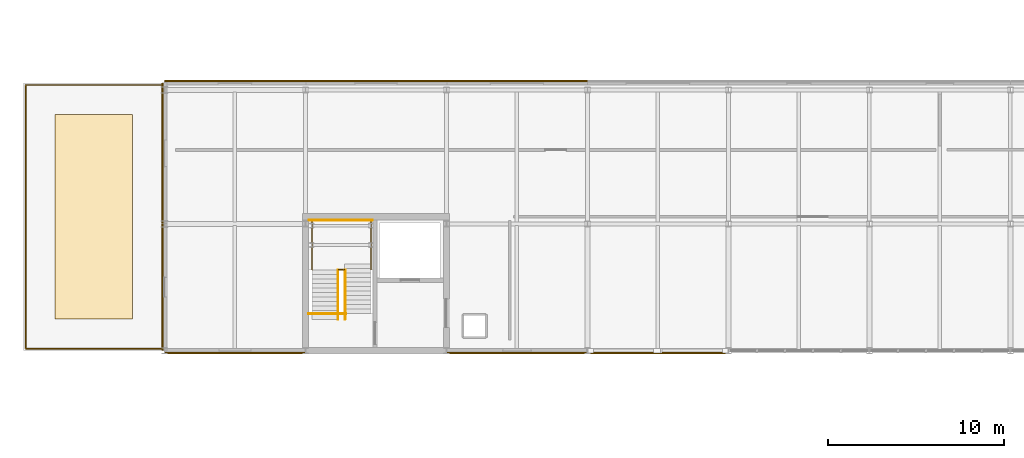
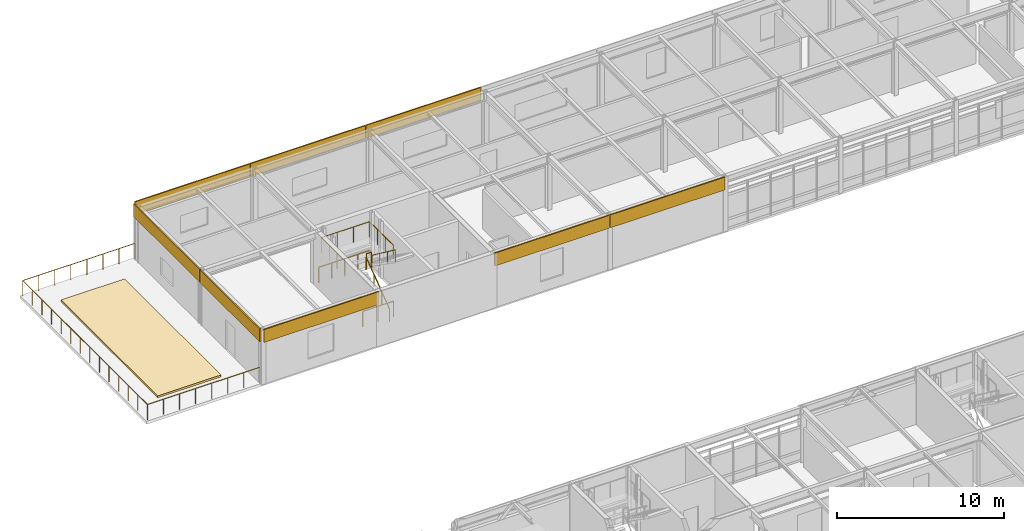
# One storey, part 81 of 85: 9 coverings, 7 railings.
"""IFC4 building model written with IfcOpenShell, lengths in metres."""

from ifc_helpers import new_model, si_unit, direction, frame, origin, origin_2d, place, context, subcontext, project, spatial, polyline, rectangle, circle, outline, extrude, material, layer, layer_set, type_object, element, save


model = new_model("IFC4")

# Units and contexts
model_context = context("Model", 3, precision=1e-05, world=origin(), true_north=direction((0.0, 1.0)))
body_context = subcontext(model_context, "Body", "Model", "MODEL_VIEW")
ifc_project = project(units=[si_unit("LENGTHUNIT", "METRE"), si_unit("AREAUNIT", "SQUARE_METRE"), si_unit("VOLUMEUNIT", "CUBIC_METRE"), si_unit("PLANEANGLEUNIT", "RADIAN"), si_unit("MASSUNIT", "GRAM", prefix="KILO")], contexts=[model_context])

# Site, building, storey
site_placement = place(None, origin())
site = spatial("IfcSite", under=ifc_project, at=site_placement, CompositionType="ELEMENT")
building_placement = place(site_placement, origin())
building = spatial("IfcBuilding", under=site, at=building_placement, Name="Zulena Civic Courthouse", CompositionType="ELEMENT")
storey_placement = place(building_placement, frame((0.0, 0.0, 25.199951171875)))
storey = spatial("IfcBuildingStorey", under=building, at=storey_placement, Name="L05", CompositionType="ELEMENT", Elevation=25.199951171875)

# Railings
ifc_material_1 = material(Name="Brushed architectural steel ASTM A36", Category="steel")
railing_type_1 = type_object("IfcRailingType", Name="InteriorGuardrail_1150", PredefinedType="GUARDRAIL", material=ifc_material_1)
railing_1_placement = place(storey_placement, frame((20.199951171875, 53.409912109375, 0.0)))
element("IfcRailing", 1, at=railing_1_placement, inside=storey, type_object=railing_type_1, Name="gr:wellN:K5A:L04", PredefinedType="GUARDRAIL", context=body_context, shape_type="SweptSolid", body=[
    extrude(circle(Radius=0.02392578125, at=origin_2d()), frame((0.00390625, 0.0, 1.1259765625), z_axis=(1.0, 0.0, 0.0), x_axis=(0.0, 1.0, 0.0)), (0.0, 0.0, 1.0), 3.592041015625),
    extrude(circle(Radius=0.02099609375, at=origin_2d()), origin(), (0.0, 0.0, 1.0), 1.097900390625),
    extrude(circle(Radius=0.02099609375, at=origin_2d()), frame((0.89990234375, 0.0, 0.0)), (0.0, 0.0, 1.0), 1.097900390625),
    extrude(circle(Radius=0.02099609375, at=origin_2d()), frame((1.800048828125, 0.0, 0.0)), (0.0, 0.0, 1.0), 1.097900390625),
    extrude(circle(Radius=0.02099609375, at=origin_2d()), frame((2.7001953125, 0.0, 0.0)), (0.0, 0.0, 1.0), 1.097900390625),
    extrude(circle(Radius=0.02099609375, at=origin_2d()), frame((3.60009765625, 0.0, 0.0)), (0.0, 0.0, 1.0), 1.097900390625),
])
railing_2_placement = place(storey_placement, frame((20.179931640625, 48.10009765625, 0.0)))
element("IfcRailing", 2, at=railing_2_placement, inside=storey, type_object=railing_type_1, Name="gr:wells:K5A:L05", PredefinedType="GUARDRAIL", context=body_context, shape_type="SweptSolid", body=[
    extrude(circle(Radius=0.02392578125, at=origin_2d()), frame((0.00390625, 0.0, 1.1259765625), z_axis=(1.0, 0.0, 0.0), x_axis=(0.0, 1.0, 0.0)), (0.0, 0.0, 1.0), 2.112060546875),
    extrude(circle(Radius=0.02099609375, at=origin_2d()), origin(), (0.0, 0.0, 1.0), 1.097900390625),
    extrude(circle(Radius=0.02099609375, at=origin_2d()), frame((1.06005859375, 0.0, 0.0)), (0.0, 0.0, 1.0), 1.097900390625),
    extrude(circle(Radius=0.02099609375, at=origin_2d()), frame((2.1201171875, 0.0, 0.0)), (0.0, 0.0, 1.0), 1.097900390625),
])
railing_3_placement = place(storey_placement, frame((20.3798828125, 50.584716796875, 2.10009765625)))
element("IfcRailing", 3, at=railing_3_placement, inside=storey, type_object=railing_type_1, Name="gr:lnd:K5A:L05", PredefinedType="GUARDRAIL", context=body_context, shape_type="SweptSolid", body=[
    extrude(circle(Radius=0.02392578125, at=origin_2d()), frame((0.0, 0.00390625, 1.1259765625), z_axis=(0.0, 1.0, 0.0), x_axis=(-1.0, 0.0, 0.0)), (0.0, 0.0, 1.0), 2.8271484375),
    extrude(circle(Radius=0.02392578125, at=origin_2d()), frame((0.00390625, 2.835205078125, 1.1259765625), z_axis=(1.0, 0.0, 0.0), x_axis=(0.0, 1.0, 0.0)), (0.0, 0.0, 1.0), 3.33203125),
    extrude(circle(Radius=0.02392578125, at=origin_2d()), frame((3.340087890625, 2.831298828125, 1.1259765625), z_axis=(0.0, -1.0, 0.0), x_axis=(1.0, 0.0, 0.0)), (0.0, 0.0, 1.0), 2.8271484375),
    extrude(circle(Radius=0.02099609375, at=origin_2d()), origin(), (0.0, 0.0, 1.0), 1.097900390625),
    extrude(circle(Radius=0.02099609375, at=origin_2d()), frame((0.0, 0.945068359375, 0.0)), (0.0, 0.0, 1.0), 1.097900390625),
    extrude(circle(Radius=0.02099609375, at=origin_2d()), frame((0.0, 1.89013671875, 0.0)), (0.0, 0.0, 1.0), 1.097900390625),
    extrude(circle(Radius=0.02099609375, at=origin_2d()), frame((0.0, 2.835205078125, 0.0)), (0.0, 0.0, 1.0), 1.097900390625),
    extrude(circle(Radius=0.02099609375, at=origin_2d()), frame((1.11328125, 2.835205078125, 0.0)), (0.0, 0.0, 1.0), 1.097900390625),
    extrude(circle(Radius=0.02099609375, at=origin_2d()), frame((2.226806640625, 2.835205078125, 0.0)), (0.0, 0.0, 1.0), 1.097900390625),
    extrude(circle(Radius=0.02099609375, at=origin_2d()), frame((3.340087890625, 2.835205078125, 0.0)), (0.0, 0.0, 1.0), 1.097900390625),
    extrude(circle(Radius=0.02099609375, at=origin_2d()), frame((3.340087890625, 1.89013671875, 0.0)), (0.0, 0.0, 1.0), 1.097900390625),
    extrude(circle(Radius=0.02099609375, at=origin_2d()), frame((3.340087890625, 0.945068359375, 0.0)), (0.0, 0.0, 1.0), 1.097900390625),
    extrude(circle(Radius=0.02099609375, at=origin_2d()), frame((3.340087890625, 0.0, 0.0)), (0.0, 0.0, 1.0), 1.097900390625),
])
railing_4_placement = place(storey_placement, frame((21.8798828125, 50.60498046875, 2.10009765625)))
element("IfcRailing", 4, at=railing_4_placement, inside=storey, type_object=railing_type_1, Name="gr:lndslot:K5A:L05", PredefinedType="GUARDRAIL", context=body_context, shape_type="SweptSolid", body=[
    extrude(circle(Radius=0.02392578125, at=origin_2d()), frame((0.00390625, 0.0, 1.1259765625), z_axis=(1.0, 0.0, 0.0), x_axis=(0.0, 1.0, 0.0)), (0.0, 0.0, 1.0), 0.33203125),
    extrude(circle(Radius=0.02099609375, at=origin_2d()), origin(), (0.0, 0.0, 1.0), 1.097900390625),
    extrude(circle(Radius=0.02099609375, at=origin_2d()), frame((0.340087890625, 0.0, 0.0)), (0.0, 0.0, 1.0), 1.097900390625),
])

# Coverings
ifc_material_2 = material(Name="Planted vegetated roof substrate and turf", Category="concrete")
ifc_layer_1 = layer(ifc_material_2, 0.139892578125)
ifc_layer_set_1 = layer_set([ifc_layer_1], Name="Planted vegetated roof substrate and turf")
covering_type_1 = type_object("IfcCoveringType", Name="PlantedGardenTopping_140", PredefinedType="ROOFING", material=ifc_layer_set_1)
covering_1_placement = place(storey_placement, origin())
element("IfcCovering", 5, at=covering_1_placement, inside=storey, type_object=covering_type_1, Name="cov:garden:TR-V5-L05", PredefinedType="ROOFING", context=body_context, shape_type="SweptSolid", body=[
    extrude(outline(polyline([(5.800048828125, 47.800048828125), (10.199951171875, 47.800048828125), (10.199951171875, 59.39990234375), (5.800048828125, 59.39990234375), (5.800048828125, 47.800048828125)])), origin(), (0.0, 0.0, 1.0), 0.14013671875),
])
ifc_material_3 = material(Name="White architectural precast concrete C40/50", Category="concrete")
ifc_layer_2 = layer(ifc_material_3, 0.0849609375)
ifc_layer_set_2 = layer_set([ifc_layer_2], Name="White architectural precast concrete C40/50")
covering_type_2 = type_object("IfcCoveringType", Name="PrecastSpandrelCladding_85", PredefinedType="CLADDING", material=ifc_layer_set_2)
covering_2_placement = place(storey_placement, frame((11.8798828125, 49.60009765625, 3.06005859375), z_axis=(0.0, 0.0, 1.0), x_axis=(0.0, 1.0, 0.0)))
element("IfcCovering", 6, at=covering_2_placement, inside=storey, type_object=covering_type_2, Name="clad:sp:V5:L05:0:0", PredefinedType="CLADDING", context=body_context, shape_type="SweptSolid", body=[
    extrude(rectangle(XDim=7.159912109375, YDim=0.0849609375, at=origin_2d()), origin(), (0.0, 0.0, 1.0), 0.93994140625),
])
for number, where, z_axis, x_axis, name in (
    (7, (11.8798828125, 57.199951171875, 3.06005859375), (0.0, 0.0, 1.0), (0.0, 1.0, 0.0), "clad:sp:V5:L05:0:1"),
    (8, (16.0, 61.320068359375, 3.06005859375), (0.0, 0.0, 1.0), (1.0, 0.0, 0.0), "clad:sp:V5:L05:1:0"),
    (9, (24.0, 61.320068359375, 3.06005859375), (0.0, 0.0, 1.0), (1.0, 0.0, 0.0), "clad:sp:V5:L05:1:1"),
    (10, (32.0, 61.320068359375, 3.06005859375), (0.0, 0.0, 1.0), (1.0, 0.0, 0.0), "clad:sp:V5:L05:1:2"),
    (11, (40.0, 45.8798828125, 3.06005859375), (0.0, 0.0, 1.0), (-1.0, 0.0, 0.0), "clad:sp:V5:L05:5:7"),
    (12, (32.0, 45.8798828125, 3.06005859375), (0.0, 0.0, 1.0), (-1.0, 0.0, 0.0), "clad:sp:V5:L05:5:8"),
    (13, (16.0, 45.8798828125, 3.06005859375), (0.0, 0.0, 1.0), (-1.0, 0.0, 0.0), "clad:sp:V5:L05:5:10"),
):
    element("IfcCovering", number, at=place(storey_placement, frame(where, z_axis=z_axis, x_axis=x_axis)), inside=storey, type_object=covering_type_2, Name=name, PredefinedType="CLADDING", context=body_context, shape_type="SweptSolid", body=[
        extrude(rectangle(XDim=7.9599609375, YDim=0.0849609375, at=origin_2d()), origin(), (0.0, 0.0, 1.0), 0.93994140625),
    ])

# Railings
railing_type_2 = type_object("IfcRailingType", Name="StairHandrail_920", PredefinedType="HANDRAIL", material=ifc_material_1)
railing_5_placement = place(storey_placement, frame((21.85009765625, 47.780029296875, 0.0)))
element("IfcRailing", 14, at=railing_5_placement, inside=storey, type_object=railing_type_2, Name="hr:K5A:L05:1", PredefinedType="HANDRAIL", context=body_context, shape_type="SweptSolid", body=[
    extrude(circle(Radius=0.02392578125, at=origin_2d()), frame((0.0, 0.003173828125, 0.898193359375), z_axis=(0.0, 0.800467996722, 0.599375496849), x_axis=(-1.0, 0.0, 0.0)), (0.0, 0.0, 1.0), 3.495849609375),
    extrude(circle(Radius=0.02099609375, at=origin_2d()), origin(), (0.0, 0.0, 1.0), 0.867919921875),
    extrude(circle(Radius=0.02099609375, at=origin_2d()), frame((0.0, 0.934814453125, 0.699951171875)), (0.0, 0.0, 1.0), 0.867919921875),
    extrude(circle(Radius=0.02099609375, at=origin_2d()), frame((0.0, 1.869873046875, 1.400146484375)), (0.0, 0.0, 1.0), 0.867919921875),
    extrude(circle(Radius=0.02099609375, at=origin_2d()), frame((0.0, 2.8046875, 2.10009765625)), (0.0, 0.0, 1.0), 0.867919921875),
])
railing_6_placement = place(storey_placement, frame((22.25, 50.584716796875, 2.10009765625)))
element("IfcRailing", 15, at=railing_6_placement, inside=storey, type_object=railing_type_2, Name="hr:K5A:L05:2", PredefinedType="HANDRAIL", context=body_context, shape_type="SweptSolid", body=[
    extrude(circle(Radius=0.02392578125, at=origin_2d()), frame((0.0, -0.003173828125, 0.898193359375), z_axis=(0.0, -0.800501427345, 0.599330847545), x_axis=(1.0, 0.0, 0.0)), (0.0, 0.0, 1.0), 3.49560546875),
    extrude(circle(Radius=0.02099609375, at=origin_2d()), origin(), (0.0, 0.0, 1.0), 0.867919921875),
    extrude(circle(Radius=0.02099609375, at=origin_2d()), frame((0.0, -0.934814453125, 0.699951171875)), (0.0, 0.0, 1.0), 0.867919921875),
    extrude(circle(Radius=0.02099609375, at=origin_2d()), frame((0.0, -1.869873046875, 1.39990234375)), (0.0, 0.0, 1.0), 0.867919921875),
    extrude(circle(Radius=0.02099609375, at=origin_2d()), frame((0.0, -2.8046875, 2.099853515625)), (0.0, 0.0, 1.0), 0.867919921875),
])
ifc_material_4 = material(Name="Bronze-painted architectural steel ASTM A36", Category="steel")
railing_type_3 = type_object("IfcRailingType", Name="TerraceBalustrade_1150", PredefinedType="BALUSTRADE", material=ifc_material_4)
railing_7_placement = place(storey_placement, frame((11.89990234375, 46.1201171875, 0.0)))
element("IfcRailing", 16, at=railing_7_placement, inside=storey, type_object=railing_type_3, Name="guard:terrace:TR-V5-L05:0", PredefinedType="BALUSTRADE", context=body_context, shape_type="SweptSolid", body=[
    extrude(circle(Radius=0.02392578125, at=origin_2d()), frame((-0.00390625, 0.0, 1.1259765625), z_axis=(-1.0, 0.0, 0.0), x_axis=(0.0, -1.0, 0.0)), (0.0, 0.0, 1.0), 7.771728515625),
    extrude(circle(Radius=0.02392578125, at=origin_2d()), frame((-7.77978515625, 0.00390625, 1.1259765625), z_axis=(0.0, 1.0, 0.0), x_axis=(-1.0, 0.0, 0.0)), (0.0, 0.0, 1.0), 14.951904296875),
    extrude(circle(Radius=0.02392578125, at=origin_2d()), frame((-7.77587890625, 14.9599609375, 1.1259765625), z_axis=(1.0, 0.0, 0.0), x_axis=(0.0, 1.0, 0.0)), (0.0, 0.0, 1.0), 7.771728515625),
    extrude(circle(Radius=0.02099609375, at=origin_2d()), origin(), (0.0, 0.0, 1.0), 1.097900390625),
    extrude(circle(Radius=0.02099609375, at=origin_2d()), frame((-1.111328125, 0.0, 0.0)), (0.0, 0.0, 1.0), 1.097900390625),
    extrude(circle(Radius=0.02099609375, at=origin_2d()), frame((-2.222900390625, 0.0, 0.0)), (0.0, 0.0, 1.0), 1.097900390625),
    extrude(circle(Radius=0.02099609375, at=origin_2d()), frame((-3.334228515625, 0.0, 0.0)), (0.0, 0.0, 1.0), 1.097900390625),
    extrude(circle(Radius=0.02099609375, at=origin_2d()), frame((-4.445556640625, 0.0, 0.0)), (0.0, 0.0, 1.0), 1.097900390625),
    extrude(circle(Radius=0.02099609375, at=origin_2d()), frame((-5.556884765625, 0.0, 0.0)), (0.0, 0.0, 1.0), 1.097900390625),
    extrude(circle(Radius=0.02099609375, at=origin_2d()), frame((-6.66845703125, 0.0, 0.0)), (0.0, 0.0, 1.0), 1.097900390625),
    extrude(circle(Radius=0.02099609375, at=origin_2d()), frame((-7.77978515625, 0.0, 0.0)), (0.0, 0.0, 1.0), 1.097900390625),
    extrude(circle(Radius=0.02099609375, at=origin_2d()), frame((-7.77978515625, 1.15087890625, 0.0)), (0.0, 0.0, 1.0), 1.097900390625),
    extrude(circle(Radius=0.02099609375, at=origin_2d()), frame((-7.77978515625, 2.301513671875, 0.0)), (0.0, 0.0, 1.0), 1.097900390625),
    extrude(circle(Radius=0.02099609375, at=origin_2d()), frame((-7.77978515625, 3.452392578125, 0.0)), (0.0, 0.0, 1.0), 1.097900390625),
    extrude(circle(Radius=0.02099609375, at=origin_2d()), frame((-7.77978515625, 4.60302734375, 0.0)), (0.0, 0.0, 1.0), 1.097900390625),
    extrude(circle(Radius=0.02099609375, at=origin_2d()), frame((-7.77978515625, 5.75390625, 0.0)), (0.0, 0.0, 1.0), 1.097900390625),
    extrude(circle(Radius=0.02099609375, at=origin_2d()), frame((-7.77978515625, 6.904541015625, 0.0)), (0.0, 0.0, 1.0), 1.097900390625),
    extrude(circle(Radius=0.02099609375, at=origin_2d()), frame((-7.77978515625, 8.055419921875, 0.0)), (0.0, 0.0, 1.0), 1.097900390625),
    extrude(circle(Radius=0.02099609375, at=origin_2d()), frame((-7.77978515625, 9.2060546875, 0.0)), (0.0, 0.0, 1.0), 1.097900390625),
    extrude(circle(Radius=0.02099609375, at=origin_2d()), frame((-7.77978515625, 10.35693359375, 0.0)), (0.0, 0.0, 1.0), 1.097900390625),
    extrude(circle(Radius=0.02099609375, at=origin_2d()), frame((-7.77978515625, 11.507568359375, 0.0)), (0.0, 0.0, 1.0), 1.097900390625),
    extrude(circle(Radius=0.02099609375, at=origin_2d()), frame((-7.77978515625, 12.658447265625, 0.0)), (0.0, 0.0, 1.0), 1.097900390625),
    extrude(circle(Radius=0.02099609375, at=origin_2d()), frame((-7.77978515625, 13.80908203125, 0.0)), (0.0, 0.0, 1.0), 1.097900390625),
    extrude(circle(Radius=0.02099609375, at=origin_2d()), frame((-7.77978515625, 14.9599609375, 0.0)), (0.0, 0.0, 1.0), 1.097900390625),
    extrude(circle(Radius=0.02099609375, at=origin_2d()), frame((-6.66845703125, 14.9599609375, 0.0)), (0.0, 0.0, 1.0), 1.097900390625),
    extrude(circle(Radius=0.02099609375, at=origin_2d()), frame((-5.556884765625, 14.9599609375, 0.0)), (0.0, 0.0, 1.0), 1.097900390625),
    extrude(circle(Radius=0.02099609375, at=origin_2d()), frame((-4.445556640625, 14.9599609375, 0.0)), (0.0, 0.0, 1.0), 1.097900390625),
    extrude(circle(Radius=0.02099609375, at=origin_2d()), frame((-3.334228515625, 14.9599609375, 0.0)), (0.0, 0.0, 1.0), 1.097900390625),
    extrude(circle(Radius=0.02099609375, at=origin_2d()), frame((-2.222900390625, 14.9599609375, 0.0)), (0.0, 0.0, 1.0), 1.097900390625),
    extrude(circle(Radius=0.02099609375, at=origin_2d()), frame((-1.111328125, 14.9599609375, 0.0)), (0.0, 0.0, 1.0), 1.097900390625),
    extrude(circle(Radius=0.02099609375, at=origin_2d()), frame((0.0, 14.9599609375, 0.0)), (0.0, 0.0, 1.0), 1.097900390625),
])

save(model, "model.ifc")
